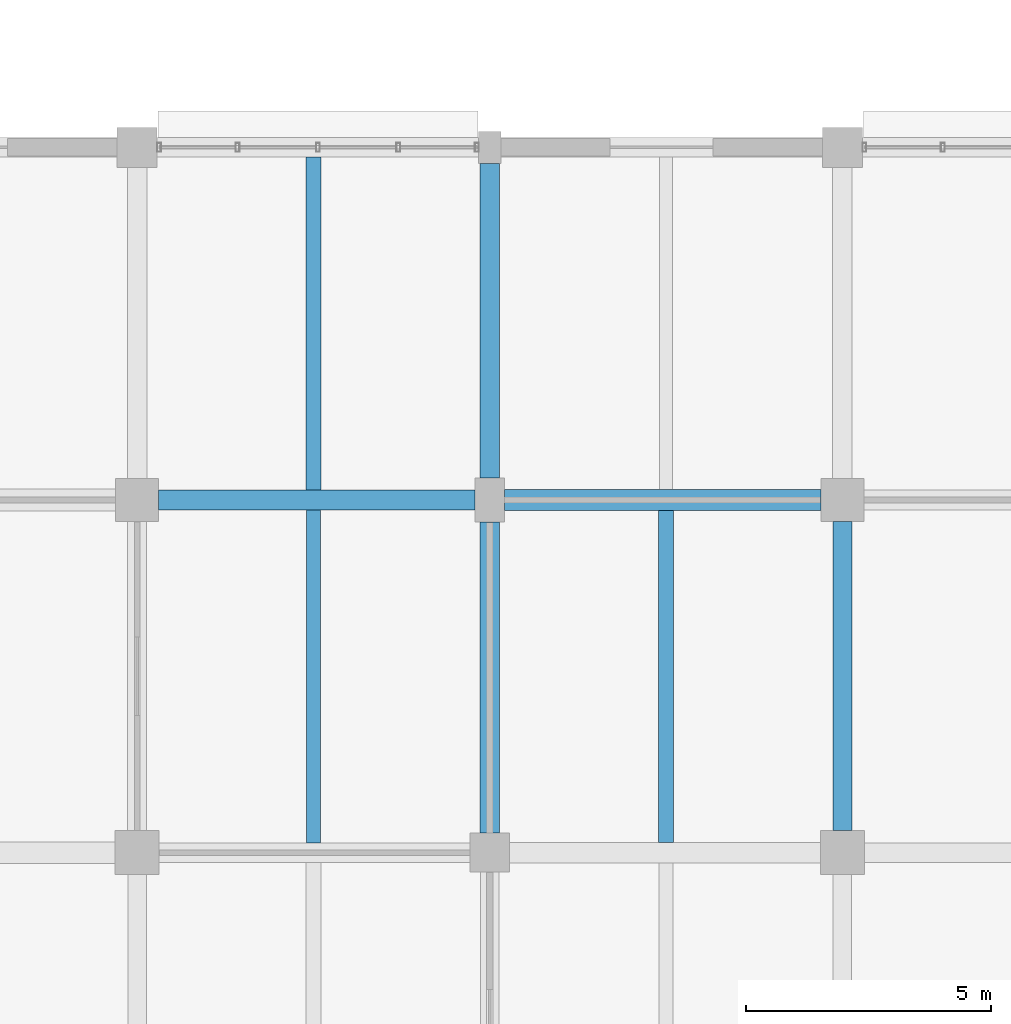
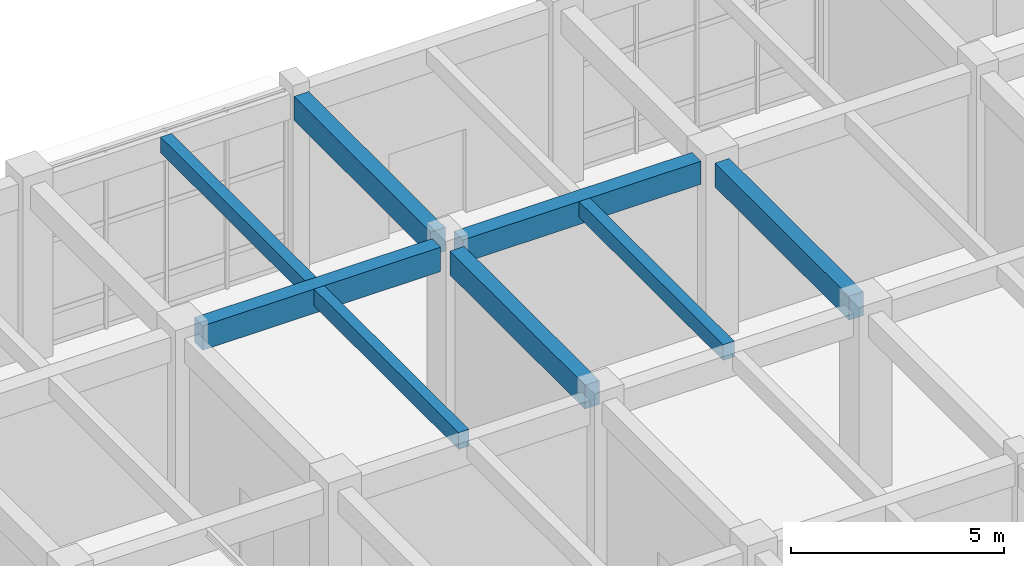
# One storey, part 89 of 160: 8 beams.
"""IFC4 building model written with IfcOpenShell, lengths in metres."""

import ifcopenshell
import ifcopenshell.guid

model = None  # the IFC model being written
_history = None  # IfcOwnerHistory: only IFC2X3 demands one
_inside = {}  # id of a spatial element -> (the spatial element, [elements in it])
_under = {}  # id of a project, library or spatial element -> (it, [spatial elements below it])
_declared = {}  # id of a project -> (the project, [libraries it declares])
_typed = {}  # id of a type object -> (the type object, [elements of that type])
_made_of = {}  # id of a material, layer set ... -> (it, [elements and type objects made of it])


def new_model(schema):
    """Start an empty IFC model of exactly this schema.

    Asked for "IFC4X3", IfcOpenShell would pick the latest addendum, in which some entities
    have other attributes; the version numbers below select the first issue.
    IFC2X3 requires an IfcOwnerHistory on every rooted entity: one is made here for all.
    """
    global model, _history
    if schema == "IFC4X3":
        model = ifcopenshell.file(schema_version=(4, 3, 0, 0))
    else:
        model = ifcopenshell.file(schema=schema)
    _inside.clear()
    _under.clear()
    _declared.clear()
    _typed.clear()
    _made_of.clear()
    _history = None
    if model.schema == "IFC2X3":
        org = make("IfcOrganization", Name="unknown")
        user = make(
            "IfcPersonAndOrganization",
            ThePerson=make("IfcPerson", FamilyName="unknown"),
            TheOrganization=org,
        )
        app = make(
            "IfcApplication",
            ApplicationDeveloper=org,
            Version="unknown",
            ApplicationFullName="unknown",
            ApplicationIdentifier="unknown",
        )
        _history = make(
            "IfcOwnerHistory",
            OwningUser=user,
            OwningApplication=app,
            ChangeAction="ADDED",
            CreationDate=0,
        )
    return model


def make(cls, **values):
    """One entity of the class cls with the attributes given. An attribute that is None is left unset."""
    return model.create_entity(
        cls, **{name: value for name, value in values.items() if value is not None}
    )


def rooted(cls, **values):
    """An entity with a GlobalId (a new one), such as an element, a storey or a relation."""
    return make(cls, GlobalId=ifcopenshell.guid.new(), OwnerHistory=_history, **values)


def si_unit(unit_type, name, prefix=None):
    """IfcSIUnit, for example si_unit("LENGTHUNIT", "METRE", prefix="MILLI")."""
    return make("IfcSIUnit", UnitType=unit_type, Prefix=prefix, Name=name)


def assignment(units):
    """IfcUnitAssignment: the units of a project."""
    return None if units is None else make("IfcUnitAssignment", Units=units)


def point(xyz):
    """IfcCartesianPoint."""
    return None if xyz is None else make("IfcCartesianPoint", Coordinates=xyz)


def direction(xyz):
    """IfcDirection."""
    return None if xyz is None else make("IfcDirection", DirectionRatios=xyz)


def frame(location, z_axis=None, x_axis=None):
    """IfcAxis2Placement3D, a coordinate frame: its origin and axes. An axis left out is left unset."""
    return make(
        "IfcAxis2Placement3D",
        Location=point(location),
        Axis=direction(z_axis),
        RefDirection=direction(x_axis),
    )


def frame_2d(location, x_axis=None):
    """IfcAxis2Placement2D, a coordinate frame in the plane: its origin and x axis."""
    return make(
        "IfcAxis2Placement2D", Location=point(location), RefDirection=direction(x_axis)
    )


def origin():
    """The frame at (0, 0, 0) with its axes left unset."""
    return frame((0.0, 0.0, 0.0))


def origin_2d():
    """The frame at (0, 0) in the plane with its x axis left unset."""
    return frame_2d((0.0, 0.0))


def place(relative_to, where):
    """IfcLocalPlacement: puts the frame where relative to a parent placement (None: the world)."""
    return make(
        "IfcLocalPlacement", PlacementRelTo=relative_to, RelativePlacement=where
    )


def context(
    kind, dimensions, precision=None, world=None, true_north=None, identifier=None
):
    """IfcGeometricRepresentationContext, for example the 3D "Model" context."""
    return make(
        "IfcGeometricRepresentationContext",
        ContextIdentifier=identifier,
        ContextType=kind,
        CoordinateSpaceDimension=dimensions,
        Precision=precision,
        WorldCoordinateSystem=world,
        TrueNorth=true_north,
    )


def subcontext(parent, identifier, kind, view, scale=None):
    """IfcGeometricRepresentationSubContext, for example "Body" below "Model"."""
    return make(
        "IfcGeometricRepresentationSubContext",
        ContextIdentifier=identifier,
        ContextType=kind,
        ParentContext=parent,
        TargetScale=scale,
        TargetView=view,
    )


def project(units=None, contexts=None):
    """IfcProject with its units and contexts."""
    return rooted(
        "IfcProject",
        Name="project",
        RepresentationContexts=contexts,
        UnitsInContext=assignment(units),
    )


def spatial(cls, under=None, at=None, **own):
    """A site, building, storey or space (cls), placed at a placement, below another one or the project."""
    s = rooted(cls, ObjectPlacement=at, **own)
    if under is not None:
        _under.setdefault(under.id(), (under, []))[1].append(s)
    return s


def profile(cls, at=None, kind="AREA", **sizes):
    """A parametric profile (cls). Its sizes go by their IFC names, for example OverallWidth=200.0."""
    return make(cls, ProfileType=kind, Position=at, **sizes)


def rectangle(**sizes):
    """IfcRectangleProfileDef."""
    return profile("IfcRectangleProfileDef", **sizes)


def extrude(swept, where, along, depth):
    """IfcExtrudedAreaSolid: the profile swept, set in the frame where, extruded along a direction by depth."""
    return make(
        "IfcExtrudedAreaSolid",
        SweptArea=swept,
        Position=where,
        ExtrudedDirection=direction(along),
        Depth=depth,
    )


def shape(context_of_items, identifier, shape_type, items):
    """IfcShapeRepresentation: the items that make up one representation, for example the "Body"."""
    return make(
        "IfcShapeRepresentation",
        ContextOfItems=context_of_items,
        RepresentationIdentifier=identifier,
        RepresentationType=shape_type,
        Items=items,
    )


def material(Name=None, Category=None):
    """IfcMaterial."""
    return make("IfcMaterial", Name=Name, Category=Category)


def material_profile(
    of_material, cross_section, Name=None, Category=None, Priority=None
):
    """IfcMaterialProfile: a cross section and its material."""
    return make(
        "IfcMaterialProfile",
        Name=Name,
        Material=of_material,
        Profile=cross_section,
        Priority=Priority,
        Category=Category,
    )


def profile_set(profiles, Name=None, composite=None):
    """IfcMaterialProfileSet."""
    return make(
        "IfcMaterialProfileSet",
        Name=Name,
        MaterialProfiles=profiles,
        CompositeProfile=composite,
    )


def made_of(thing, what):
    """Note that an element or type object is made of a material, layer set ...; save() writes the relation."""
    if what is not None:
        _made_of.setdefault(what.id(), (what, []))[1].append(thing)
    return thing


def type_object(cls, material=None, **own):
    """A type object (cls), such as IfcWallType, which elements share."""
    return made_of(rooted(cls, **own), material)


def element(
    cls,
    number,
    at=None,
    inside=None,
    cuts=None,
    type_object=None,
    material=None,
    context=None,
    identifier="Body",
    shape_type=None,
    held_by="IfcProductDefinitionShape",
    body=None,
    shapes=None,
    **own,
):
    """One element of the class cls, such as IfcWall. Its Tag is "e" and its number.

    at: its placement. inside: the storey or other place that contains it. cuts: it is an
    opening in that element (IfcRelVoidsElement). A single representation is given by context,
    identifier, shape_type and body (its items); several are given by shapes. held_by: the class
    of the entity that holds the representations. save() writes the other relations.
    """
    e = rooted(cls, Tag="e%d" % number, ObjectPlacement=at, **own)
    if body is not None:
        shapes = [shape(context, identifier, shape_type, body)]
    if shapes is not None:
        e.Representation = make(held_by, Representations=shapes)
    if inside is not None:
        _inside.setdefault(inside.id(), (inside, []))[1].append(e)
    if cuts is not None:
        rooted(
            "IfcRelVoidsElement", RelatingBuildingElement=cuts, RelatedOpeningElement=e
        )
    if type_object is not None:
        _typed.setdefault(type_object.id(), (type_object, []))[1].append(e)
    return made_of(e, material)


def aggregate(whole, parts):
    """IfcRelAggregates: a whole, such as a stair, and the parts it consists of."""
    return rooted("IfcRelAggregates", RelatingObject=whole, RelatedObjects=parts)


def save(model, path):
    """Write the relations noted so far, then the file.

    IfcRelAggregates (storeys below a building ...), IfcRelContainedInSpatialStructure (elements
    in a storey), IfcRelDefinesByType, IfcRelAssociatesMaterial and IfcRelDeclares: one each for
    every whole, place, type object, material and project.
    """
    for whole, parts in _under.values():
        aggregate(whole, parts)
    for where, things in _inside.values():
        rooted(
            "IfcRelContainedInSpatialStructure",
            RelatedElements=things,
            RelatingStructure=where,
        )
    for kind, things in _typed.values():
        rooted("IfcRelDefinesByType", RelatedObjects=things, RelatingType=kind)
    for what, things in _made_of.values():
        rooted("IfcRelAssociatesMaterial", RelatedObjects=things, RelatingMaterial=what)
    for by, libraries in _declared.values():
        rooted("IfcRelDeclares", RelatingContext=by, RelatedDefinitions=libraries)
    model.write(path)


model = new_model("IFC4")

# Units and contexts
model_context = context("Model", 3, precision=1e-05, world=origin(), true_north=direction((0.0, 1.0)))
body_context = subcontext(model_context, "Body", "Model", "MODEL_VIEW")
ifc_project = project(units=[si_unit("LENGTHUNIT", "METRE"), si_unit("AREAUNIT", "SQUARE_METRE"), si_unit("VOLUMEUNIT", "CUBIC_METRE"), si_unit("PLANEANGLEUNIT", "RADIAN"), si_unit("MASSUNIT", "GRAM", prefix="KILO")], contexts=[model_context])

# Site, building, storey
site_placement = place(None, origin())
site = spatial("IfcSite", under=ifc_project, at=site_placement, CompositionType="ELEMENT")
building_placement = place(site_placement, origin())
building = spatial("IfcBuilding", under=site, at=building_placement, Name="Thalmaran Polytechnic", CompositionType="ELEMENT")
storey_placement = place(building_placement, origin())
storey = spatial("IfcBuildingStorey", under=building, at=storey_placement, Name="L00", CompositionType="ELEMENT", Elevation=0.0)

# Beams
ifc_material = material(Name="Concrete C40/50", Category="concrete")
ifc_material_profile_1 = material_profile(ifc_material, rectangle(XDim=0.39990234375, YDim=0.699951171875, at=origin_2d()), Name="RC 400x700")
ifc_profile_set_1 = profile_set([ifc_material_profile_1], Name="Concrete C40/50")
beam_type_1 = type_object("IfcBeamType", Name="BM-RC05", PredefinedType="BEAM", material=ifc_profile_set_1)
beam_1_placement = place(storey_placement, frame((108.43994140625, 115.199951171875, 4.739990234375), z_axis=(1.0, 0.0, 0.0), x_axis=(0.0, 1.0, 0.0)))
element("IfcBeam", 1, at=beam_1_placement, inside=storey, type_object=beam_type_1, Name="Grid Beam B05 L00 X(15,16)", PredefinedType="BEAM", context=body_context, shape_type="SweptSolid", body=[
    extrude(rectangle(XDim=0.39990234375, YDim=0.699951171875, at=origin_2d()), origin(), (0.0, 0.0, 1.0), 6.4599609375),
])
ifc_material_profile_2 = material_profile(ifc_material, rectangle(XDim=0.389892578125, YDim=0.68505859375, at=origin_2d()), Name="RC 390x685")
ifc_profile_set_2 = profile_set([ifc_material_profile_2], Name="Concrete C40/50")
beam_type_2 = type_object("IfcBeamType", Name="BM-RC08", PredefinedType="BEAM", material=ifc_profile_set_2)
beam_2_placement = place(storey_placement, frame((115.199951171875, 108.39990234375, 4.74755859375), z_axis=(0.0, 1.0, 0.0), x_axis=(-1.0, 0.0, 0.0)))
element("IfcBeam", 2, at=beam_2_placement, inside=storey, type_object=beam_type_2, Name="Grid Beam B08 L00 Y(16,15)", PredefinedType="BEAM", context=body_context, shape_type="SweptSolid", body=[
    extrude(rectangle(XDim=0.389892578125, YDim=0.68505859375, at=origin_2d()), origin(), (0.0, 0.0, 1.0), 6.35009765625),
])
beam_3_placement = place(storey_placement, frame((122.39990234375, 108.449951171875, 4.74755859375), z_axis=(0.0, 1.0, 0.0), x_axis=(-1.0, 0.0, 0.0)))
element("IfcBeam", 3, at=beam_3_placement, inside=storey, type_object=beam_type_2, Name="Grid Beam B08 L00 Y(17,15)", PredefinedType="BEAM", context=body_context, shape_type="SweptSolid", body=[
    extrude(rectangle(XDim=0.389892578125, YDim=0.68505859375, at=origin_2d()), origin(), (0.0, 0.0, 1.0), 6.31005859375),
])
ifc_material_profile_3 = material_profile(ifc_material, rectangle(XDim=0.300048828125, YDim=0.449951171875, at=origin_2d()), Name="RC 300x450")
ifc_profile_set_3 = profile_set([ifc_material_profile_3], Name="Concrete C40/50")
beam_type_3 = type_object("IfcBeamType", Name="BM-RC12", PredefinedType="JOIST", material=ifc_profile_set_3)
beam_4_placement = place(storey_placement, frame((111.60009765625, 115.39990234375, 4.864990234375), z_axis=(0.0, 1.0, 0.0), x_axis=(-1.0, 0.0, 0.0)))
element("IfcBeam", 4, at=beam_4_placement, inside=storey, type_object=beam_type_3, Name="Secondary Floor Rib RB02 L00 (15,16)", PredefinedType="JOIST", context=body_context, shape_type="SweptSolid", body=[
    extrude(rectangle(XDim=0.300048828125, YDim=0.449951171875, at=origin_2d()), origin(), (0.0, 0.0, 1.0), 6.800048828125),
])
beam_5_placement = place(storey_placement, frame((118.800048828125, 108.2099609375, 4.864990234375), z_axis=(0.0, 1.0, 0.0), x_axis=(-1.0, 0.0, 0.0)))
element("IfcBeam", 5, at=beam_5_placement, inside=storey, type_object=beam_type_3, Name="Secondary Floor Rib RB02 L00 (16,15)", PredefinedType="JOIST", context=body_context, shape_type="SweptSolid", body=[
    extrude(rectangle(XDim=0.300048828125, YDim=0.449951171875, at=origin_2d()), origin(), (0.0, 0.0, 1.0), 6.780029296875),
])
ifc_material_profile_4 = material_profile(ifc_material, rectangle(XDim=0.419921875, YDim=0.659912109375, at=origin_2d()), Name="RC 420x660")
ifc_profile_set_4 = profile_set([ifc_material_profile_4], Name="Concrete C40/50")
beam_type_4 = type_object("IfcBeamType", Name="BM-ZB04", PredefinedType="BEAM", material=ifc_profile_set_4)
beam_6_placement = place(storey_placement, frame((115.5, 115.199951171875, 4.760009765625), z_axis=(1.0, 0.0, 0.0), x_axis=(0.0, 1.0, 0.0)))
element("IfcBeam", 6, at=beam_6_placement, inside=storey, type_object=beam_type_4, Name="Grid Beam ZB04 L00 X(16,16)", PredefinedType="BEAM", context=body_context, shape_type="SweptSolid", body=[
    extrude(rectangle(XDim=0.419921875, YDim=0.659912109375, at=origin_2d()), origin(), (0.0, 0.0, 1.0), 6.4599609375),
])
ifc_material_profile_5 = material_profile(ifc_material, rectangle(XDim=0.39990234375, YDim=0.68505859375, at=origin_2d()), Name="RC 400x685")
ifc_profile_set_5 = profile_set([ifc_material_profile_5], Name="Concrete C40/50")
beam_type_5 = type_object("IfcBeamType", Name="BM-ZB07", PredefinedType="BEAM", material=ifc_profile_set_5)
beam_7_placement = place(storey_placement, frame((115.199951171875, 115.64990234375, 4.74755859375), z_axis=(0.0, 1.0, 0.0), x_axis=(-1.0, 0.0, 0.0)))
element("IfcBeam", 7, at=beam_7_placement, inside=storey, type_object=beam_type_5, Name="Grid Beam ZB07 L00 Y(16,16)", PredefinedType="BEAM", context=body_context, shape_type="SweptSolid", body=[
    extrude(rectangle(XDim=0.39990234375, YDim=0.68505859375, at=origin_2d()), origin(), (0.0, 0.0, 1.0), 6.425048828125),
])
ifc_material_profile_6 = material_profile(ifc_material, rectangle(XDim=0.280029296875, YDim=0.47998046875, at=origin_2d()), Name="RC 280x480")
ifc_profile_set_6 = profile_set([ifc_material_profile_6], Name="Concrete C40/50")
beam_type_6 = type_object("IfcBeamType", Name="BM-ZJ01", PredefinedType="JOIST", material=ifc_profile_set_6)
beam_8_placement = place(storey_placement, frame((111.60009765625, 108.199951171875, 4.85009765625), z_axis=(0.0, 1.0, 0.0), x_axis=(-1.0, 0.0, 0.0)))
element("IfcBeam", 8, at=beam_8_placement, inside=storey, type_object=beam_type_6, Name="Secondary Floor Rib ZJ01 L00 (15,15)", PredefinedType="JOIST", context=body_context, shape_type="SweptSolid", body=[
    extrude(rectangle(XDim=0.280029296875, YDim=0.47998046875, at=origin_2d()), origin(), (0.0, 0.0, 1.0), 6.800048828125),
])

save(model, "model.ifc")
